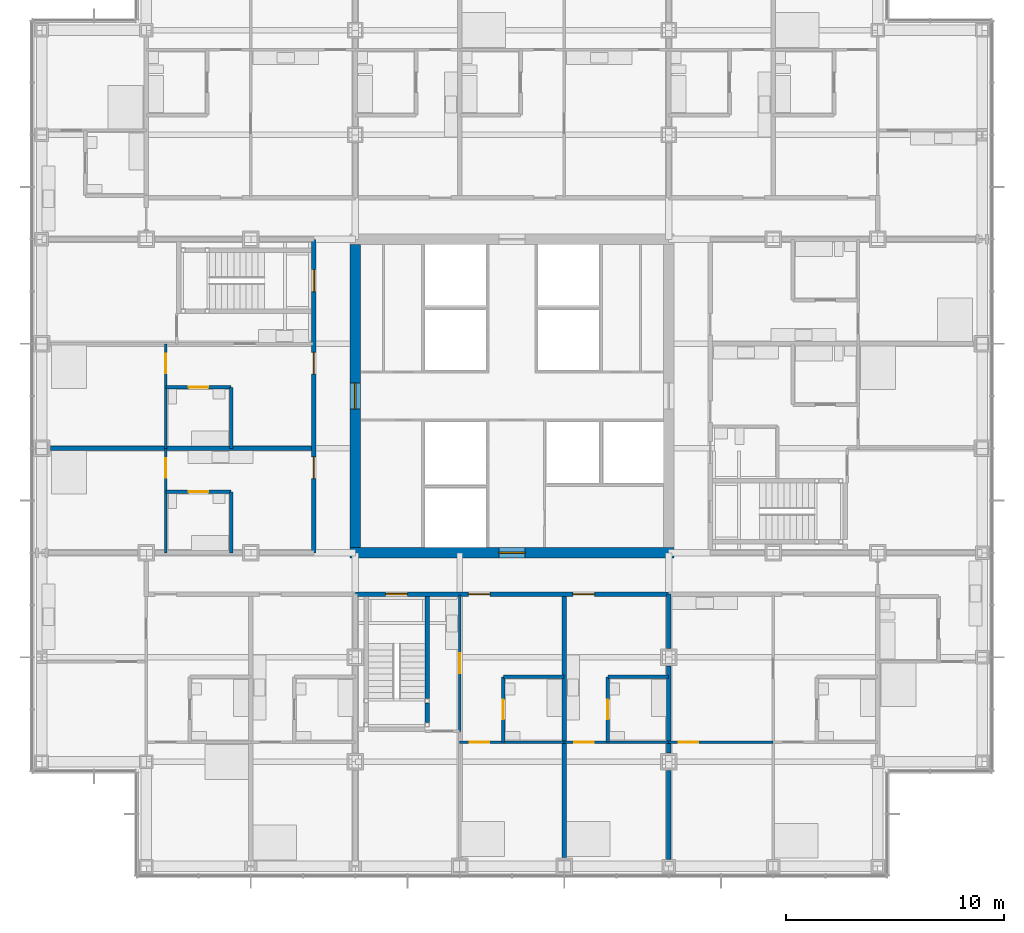
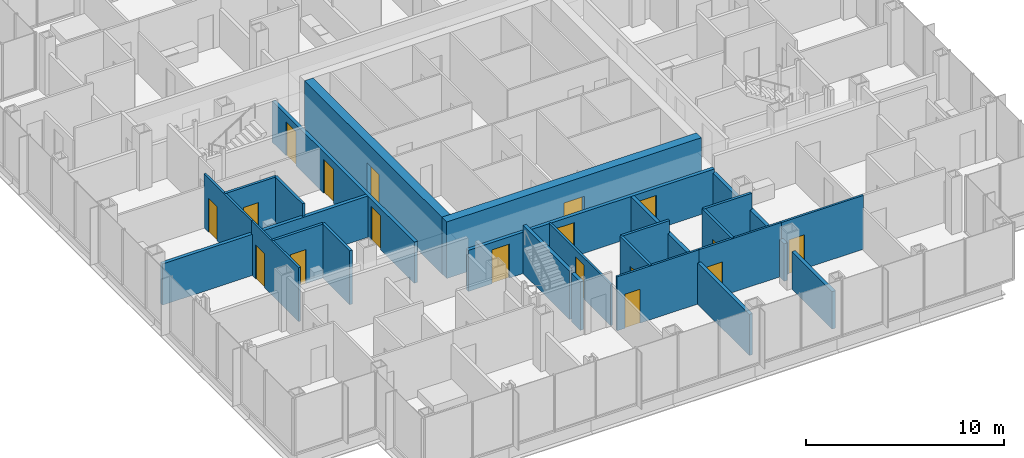
# One storey, part 14 of 21: 25 walls, 18 doors, 18 openings.
"""IFC4 building model written with IfcOpenShell, lengths in metres."""

from ifc_helpers import new_model, si_unit, direction, frame, frame_2d, origin, place, context, subcontext, project, spatial, rectangle, extrude, material, layer, layer_set, type_object, element, fill, save


model = new_model("IFC4")

# Units and contexts
model_context = context("Model", 3, precision=1e-05, world=origin(), true_north=direction((0.0, 1.0)))
body_context = subcontext(model_context, "Body", "Model", "MODEL_VIEW")
ifc_project = project(units=[si_unit("LENGTHUNIT", "METRE"), si_unit("AREAUNIT", "SQUARE_METRE"), si_unit("VOLUMEUNIT", "CUBIC_METRE"), si_unit("PLANEANGLEUNIT", "RADIAN"), si_unit("MASSUNIT", "GRAM", prefix="KILO")], contexts=[model_context])

# Site, building, storey
site_placement = place(None, origin())
site = spatial("IfcSite", under=ifc_project, at=site_placement, CompositionType="ELEMENT")
building_placement = place(site_placement, origin())
building = spatial("IfcBuilding", under=site, at=building_placement, Name="Kvirike Care Tower", CompositionType="ELEMENT")
storey_placement = place(building_placement, frame((0.0, 0.0, 34.0)))
storey = spatial("IfcBuildingStorey", under=building, at=storey_placement, Name="L08", CompositionType="ELEMENT", Elevation=34.0)

# Wall, opening, door
ifc_material_1 = material(Name="Moisture-resistant board partition", Category="gypsum")
ifc_layer_1 = layer(ifc_material_1, 0.14990234375)
ifc_layer_set_1 = layer_set([ifc_layer_1], Name="BATHROOM WALL 150")
wall_type_1 = type_object("IfcWallType", Name="BATHROOM WALL 150", PredefinedType="PARTITIONING", material=ifc_layer_set_1)
wall_1_placement = place(storey_placement, frame((5.699951171875, 36.39990234375, 0.0), z_axis=(0.0, 0.0, 1.0), x_axis=(1.0, 0.0, 0.0)))
wall_1 = element("IfcWall", 1, at=wall_1_placement, inside=storey, type_object=wall_type_1, Name="Bathroom Wall 150 L08", PredefinedType="PARTITIONING", context=body_context, shape_type="SweptSolid", body=[
    extrude(rectangle(XDim=3.0, YDim=0.14990234375, at=frame_2d((1.5, 0.0))), origin(), (0.0, 0.0, 1.0), 3.330078125),
])
opening_1_placement = place(wall_1_placement, frame((1.050048828125, 0.0, 0.0)))
opening_1 = element("IfcOpeningElement", 2, at=opening_1_placement, cuts=wall_1, Name="Opening 08-009", PredefinedType="OPENING", context=body_context, shape_type="SweptSolid", body=[
    extrude(rectangle(XDim=0.89990234375, YDim=2.10009765625, at=frame_2d((0.449951171875, 1.050048828125))), frame((0.0, 0.08544921875, 0.0), z_axis=(0.0, -1.0, 0.0), x_axis=(1.0, 0.0, 0.0)), (0.0, 0.0, 1.0), 0.1708984375),
])
ifc_material_2 = material(Name="Timber door set", Category="wood")
door_type_1 = type_object("IfcDoorType", Name="BATHROOM DOOR 900", OperationType="SINGLE_SWING_RIGHT", PredefinedType="DOOR", material=ifc_material_2)
door_1_placement = place(opening_1_placement, frame((0.89990234375, 0.0, 0.0), z_axis=(0.0, 0.0, 1.0), x_axis=(-1.0, 0.0, 0.0)))
door_1 = element("IfcDoor", 3, at=door_1_placement, inside=storey, type_object=door_type_1, Name="Bathroom door", OperationType="SINGLE_SWING_LEFT", OverallHeight=2.10009765625, OverallWidth=0.89990234375, PredefinedType="DOOR", context=body_context, shape_type="SweptSolid", body=[
    extrude(rectangle(XDim=0.89990234375, YDim=2.10009765625, at=frame_2d((0.449951171875, 1.050048828125))), frame((0.0, 0.02197265625, 0.0), z_axis=(0.0, -1.0, 0.0), x_axis=(1.0, 0.0, 0.0)), (0.0, 0.0, 1.0), 0.0439453125),
])
fill(opening_1, door_1)

# Wall
wall_2_placement = place(storey_placement, frame((8.699951171875, 36.39990234375, 0.0), z_axis=(0.0, 0.0, 1.0), x_axis=(0.0, -1.0, 0.0)))
element("IfcWall", 4, at=wall_2_placement, inside=storey, type_object=wall_type_1, Name="Bathroom Wall 150 L08", PredefinedType="PARTITIONING", context=body_context, shape_type="SweptSolid", body=[
    extrude(rectangle(XDim=2.7998046875, YDim=0.14990234375, at=frame_2d((1.39990234375, 0.0))), origin(), (0.0, 0.0, 1.0), 3.330078125),
])

# Wall, opening, door
wall_3_placement = place(storey_placement, frame((5.699951171875, 31.60009765625, 0.0), z_axis=(0.0, 0.0, 1.0), x_axis=(1.0, 0.0, 0.0)))
wall_3 = element("IfcWall", 5, at=wall_3_placement, inside=storey, type_object=wall_type_1, Name="Bathroom Wall 150 L08", PredefinedType="PARTITIONING", context=body_context, shape_type="SweptSolid", body=[
    extrude(rectangle(XDim=3.0, YDim=0.14990234375, at=frame_2d((1.5, 0.0))), origin(), (0.0, 0.0, 1.0), 3.330078125),
])
opening_2_placement = place(wall_3_placement, frame((1.050048828125, 0.0, 0.0)))
opening_2 = element("IfcOpeningElement", 6, at=opening_2_placement, cuts=wall_3, Name="Opening 08-013", PredefinedType="OPENING", context=body_context, shape_type="SweptSolid", body=[
    extrude(rectangle(XDim=0.89990234375, YDim=2.10009765625, at=frame_2d((0.449951171875, 1.050048828125))), frame((0.0, 0.08544921875, 0.0), z_axis=(0.0, -1.0, 0.0), x_axis=(1.0, 0.0, 0.0)), (0.0, 0.0, 1.0), 0.1708984375),
])
door_2_placement = place(opening_2_placement, frame((0.89990234375, 0.0, 0.0), z_axis=(0.0, 0.0, 1.0), x_axis=(-1.0, 0.0, 0.0)))
door_2 = element("IfcDoor", 7, at=door_2_placement, inside=storey, type_object=door_type_1, Name="Bathroom door", OperationType="SINGLE_SWING_LEFT", OverallHeight=2.10009765625, OverallWidth=0.89990234375, PredefinedType="DOOR", context=body_context, shape_type="SweptSolid", body=[
    extrude(rectangle(XDim=0.89990234375, YDim=2.10009765625, at=frame_2d((0.449951171875, 1.050048828125))), frame((0.0, 0.02197265625, 0.0), z_axis=(0.0, -1.0, 0.0), x_axis=(1.0, 0.0, 0.0)), (0.0, 0.0, 1.0), 0.0439453125),
])
fill(opening_2, door_2)

# Wall
wall_4_placement = place(storey_placement, frame((8.699951171875, 31.60009765625, 0.0), z_axis=(0.0, 0.0, 1.0), x_axis=(0.0, -1.0, 0.0)))
element("IfcWall", 8, at=wall_4_placement, inside=storey, type_object=wall_type_1, Name="Bathroom Wall 150 L08", PredefinedType="PARTITIONING", context=body_context, shape_type="SweptSolid", body=[
    extrude(rectangle(XDim=2.800048828125, YDim=0.14990234375, at=frame_2d((1.39990234375, 0.0))), origin(), (0.0, 0.0, 1.0), 3.330078125),
])

# Wall, opening, door
wall_5_placement = place(storey_placement, frame((21.199951171875, 20.10009765625, 0.0), z_axis=(0.0, 0.0, 1.0), x_axis=(0.0, 1.0, 0.0)))
wall_5 = element("IfcWall", 9, at=wall_5_placement, inside=storey, type_object=wall_type_1, Name="Bathroom Wall 150 L08", PredefinedType="PARTITIONING", context=body_context, shape_type="SweptSolid", body=[
    extrude(rectangle(XDim=3.0, YDim=0.14990234375, at=frame_2d((1.5, 0.0))), origin(), (0.0, 0.0, 1.0), 3.330078125),
])
opening_3_placement = place(wall_5_placement, frame((1.050048828125, 0.0, 0.0)))
opening_3 = element("IfcOpeningElement", 10, at=opening_3_placement, cuts=wall_5, Name="Opening 08-026", PredefinedType="OPENING", context=body_context, shape_type="SweptSolid", body=[
    extrude(rectangle(XDim=0.89990234375, YDim=2.10009765625, at=frame_2d((0.449951171875, 1.050048828125))), frame((0.0, 0.08544921875, 0.0), z_axis=(0.0, -1.0, 0.0), x_axis=(1.0, 0.0, 0.0)), (0.0, 0.0, 1.0), 0.1708984375),
])
door_3_placement = place(opening_3_placement, frame((0.89990234375, 0.0, 0.0), z_axis=(0.0, 0.0, 1.0), x_axis=(-1.0, 0.0, 0.0)))
door_3 = element("IfcDoor", 11, at=door_3_placement, inside=storey, type_object=door_type_1, Name="Bathroom door", OperationType="SINGLE_SWING_RIGHT", OverallHeight=2.10009765625, OverallWidth=0.89990234375, PredefinedType="DOOR", context=body_context, shape_type="SweptSolid", body=[
    extrude(rectangle(XDim=0.89990234375, YDim=2.10009765625, at=frame_2d((0.449951171875, 1.050048828125))), frame((0.0, 0.02197265625, 0.0), z_axis=(0.0, -1.0, 0.0), x_axis=(1.0, 0.0, 0.0)), (0.0, 0.0, 1.0), 0.0439453125),
])
fill(opening_3, door_3)

# Wall
wall_6_placement = place(storey_placement, frame((21.199951171875, 23.10009765625, 0.0), z_axis=(0.0, 0.0, 1.0), x_axis=(1.0, 0.0, 0.0)))
element("IfcWall", 12, at=wall_6_placement, inside=storey, type_object=wall_type_1, Name="Bathroom Wall 150 L08", PredefinedType="PARTITIONING", context=body_context, shape_type="SweptSolid", body=[
    extrude(rectangle(XDim=2.800048828125, YDim=0.14990234375, at=frame_2d((1.39990234375, 0.0))), origin(), (0.0, 0.0, 1.0), 3.330078125),
])

# Wall, opening, door
wall_7_placement = place(storey_placement, frame((26.0, 20.10009765625, 0.0), z_axis=(0.0, 0.0, 1.0), x_axis=(0.0, 1.0, 0.0)))
wall_7 = element("IfcWall", 13, at=wall_7_placement, inside=storey, type_object=wall_type_1, Name="Bathroom Wall 150 L08", PredefinedType="PARTITIONING", context=body_context, shape_type="SweptSolid", body=[
    extrude(rectangle(XDim=3.0, YDim=0.14990234375, at=frame_2d((1.5, 0.0))), origin(), (0.0, 0.0, 1.0), 3.330078125),
])
opening_4_placement = place(wall_7_placement, frame((1.050048828125, 0.0, 0.0)))
opening_4 = element("IfcOpeningElement", 14, at=opening_4_placement, cuts=wall_7, Name="Opening 08-030", PredefinedType="OPENING", context=body_context, shape_type="SweptSolid", body=[
    extrude(rectangle(XDim=0.89990234375, YDim=2.10009765625, at=frame_2d((0.449951171875, 1.050048828125))), frame((0.0, 0.08544921875, 0.0), z_axis=(0.0, -1.0, 0.0), x_axis=(1.0, 0.0, 0.0)), (0.0, 0.0, 1.0), 0.1708984375),
])
door_4_placement = place(opening_4_placement, frame((0.89990234375, 0.0, 0.0), z_axis=(0.0, 0.0, 1.0), x_axis=(-1.0, 0.0, 0.0)))
door_4 = element("IfcDoor", 15, at=door_4_placement, inside=storey, type_object=door_type_1, Name="Bathroom door", OperationType="SINGLE_SWING_RIGHT", OverallHeight=2.10009765625, OverallWidth=0.89990234375, PredefinedType="DOOR", context=body_context, shape_type="SweptSolid", body=[
    extrude(rectangle(XDim=0.89990234375, YDim=2.10009765625, at=frame_2d((0.449951171875, 1.050048828125))), frame((0.0, 0.02197265625, 0.0), z_axis=(0.0, -1.0, 0.0), x_axis=(1.0, 0.0, 0.0)), (0.0, 0.0, 1.0), 0.0439453125),
])
fill(opening_4, door_4)

# Wall
wall_8_placement = place(storey_placement, frame((26.0, 23.10009765625, 0.0), z_axis=(0.0, 0.0, 1.0), x_axis=(1.0, 0.0, 0.0)))
element("IfcWall", 16, at=wall_8_placement, inside=storey, type_object=wall_type_1, Name="Bathroom Wall 150 L08", PredefinedType="PARTITIONING", context=body_context, shape_type="SweptSolid", body=[
    extrude(rectangle(XDim=2.800048828125, YDim=0.14990234375, at=frame_2d((1.39990234375, 0.0))), origin(), (0.0, 0.0, 1.0), 3.330078125),
])

# Wall, opening, door
ifc_material_3 = material(Name="Concrete C60/75", Category="concrete")
ifc_layer_2 = layer(ifc_material_3, 0.5)
ifc_layer_set_2 = layer_set([ifc_layer_2], Name="CORE WALL 500 C60-75")
wall_type_2 = type_object("IfcWallType", Name="CORE WALL 500 C60-75", PredefinedType="SHEAR", material=ifc_layer_set_2)
wall_9_placement = place(storey_placement, frame((14.14990234375, 28.800048828125, -0.169921875), z_axis=(0.0, 0.0, 1.0), x_axis=(1.0, 0.0, 0.0)))
wall_9 = element("IfcWall", 17, at=wall_9_placement, inside=storey, type_object=wall_type_2, Name="Core wall S L08", PredefinedType="SHEAR", context=body_context, shape_type="SweptSolid", body=[
    extrude(rectangle(XDim=14.900146484375, YDim=0.5, at=frame_2d((7.4501953125, 0.0))), origin(), (0.0, 0.0, 1.0), 3.5),
])
opening_5_placement = place(wall_9_placement, frame((6.85009765625, 0.0, 0.169921875)))
opening_5 = element("IfcOpeningElement", 18, at=opening_5_placement, cuts=wall_9, Name="Opening 08-079", PredefinedType="OPENING", context=body_context, shape_type="SweptSolid", body=[
    extrude(rectangle(XDim=1.199951171875, YDim=2.10009765625, at=frame_2d((0.60009765625, 1.050048828125))), frame((0.0, 0.260498046875, 0.0), z_axis=(0.0, -1.0, 0.0), x_axis=(1.0, 0.0, 0.0)), (0.0, 0.0, 1.0), 0.52099609375),
])
ifc_material_4 = material(Name="Timber door set", Category="wood")
door_type_2 = type_object("IfcDoorType", Name="CORE DOOR 1200", OperationType="SINGLE_SWING_LEFT", PredefinedType="DOOR", material=ifc_material_4)
door_5_placement = place(opening_5_placement, origin())
door_5 = element("IfcDoor", 19, at=door_5_placement, inside=storey, type_object=door_type_2, Name="Core door S L08", OperationType="SINGLE_SWING_LEFT", OverallHeight=2.10009765625, OverallWidth=1.199951171875, PredefinedType="DOOR", context=body_context, shape_type="SweptSolid", body=[
    extrude(rectangle(XDim=1.199951171875, YDim=2.10009765625, at=frame_2d((0.60009765625, 1.050048828125))), frame((0.0, 0.02685546875, 0.0), z_axis=(0.0, -1.0, 0.0), x_axis=(1.0, 0.0, 0.0)), (0.0, 0.0, 1.0), 0.053955078125),
])
fill(opening_5, door_5)

wall_10_placement = place(storey_placement, frame((14.39990234375, 42.949951171875, -0.169921875), z_axis=(0.0, 0.0, 1.0), x_axis=(0.0, -1.0, 0.0)))
wall_10 = element("IfcWall", 20, at=wall_10_placement, inside=storey, type_object=wall_type_2, Name="Core wall W L08", PredefinedType="SHEAR", context=body_context, shape_type="SweptSolid", body=[
    extrude(rectangle(XDim=13.89990234375, YDim=0.5, at=frame_2d((6.949951171875, 0.0))), origin(), (0.0, 0.0, 1.0), 3.5),
])
opening_6_placement = place(wall_10_placement, frame((6.35009765625, 0.0, 0.169921875)))
opening_6 = element("IfcOpeningElement", 21, at=opening_6_placement, cuts=wall_10, Name="Opening 08-080", PredefinedType="OPENING", context=body_context, shape_type="SweptSolid", body=[
    extrude(rectangle(XDim=1.199951171875, YDim=2.10009765625, at=frame_2d((0.60009765625, 1.050048828125))), frame((0.0, 0.260498046875, 0.0), z_axis=(0.0, -1.0, 0.0), x_axis=(1.0, 0.0, 0.0)), (0.0, 0.0, 1.0), 0.52099609375),
])
door_6_placement = place(opening_6_placement, origin())
door_6 = element("IfcDoor", 22, at=door_6_placement, inside=storey, type_object=door_type_2, Name="Core door W L08", OperationType="SINGLE_SWING_LEFT", OverallHeight=2.10009765625, OverallWidth=1.199951171875, PredefinedType="DOOR", context=body_context, shape_type="SweptSolid", body=[
    extrude(rectangle(XDim=1.199951171875, YDim=2.10009765625, at=frame_2d((0.60009765625, 1.050048828125))), frame((0.0, 0.02685546875, 0.0), z_axis=(0.0, -1.0, 0.0), x_axis=(1.0, 0.0, 0.0)), (0.0, 0.0, 1.0), 0.053955078125),
])
fill(opening_6, door_6)

# Wall, openings, doors
ifc_material_5 = material(Name="Plasterboard corridor wall", Category="gypsum")
ifc_layer_3 = layer(ifc_material_5, 0.199951171875)
ifc_layer_set_3 = layer_set([ifc_layer_3], Name="CORRIDOR WALL 200")
wall_type_3 = type_object("IfcWallType", Name="CORRIDOR WALL 200", PredefinedType="PARTITIONING", material=ifc_layer_set_3)
wall_11_placement = place(storey_placement, frame((12.5, 43.199951171875, 0.0), z_axis=(0.0, 0.0, 1.0), x_axis=(0.0, -1.0, 0.0)))
wall_11 = element("IfcWall", 23, at=wall_11_placement, inside=storey, type_object=wall_type_3, Name="Corridor Wall 200 L08", PredefinedType="PARTITIONING", context=body_context, shape_type="SweptSolid", body=[
    extrude(rectangle(XDim=14.39990234375, YDim=0.199951171875, at=frame_2d((7.199951171875, 0.0))), origin(), (0.0, 0.0, 1.0), 2.550048828125),
])
opening_7_placement = place(wall_11_placement, frame((1.39990234375, 0.0, 0.0)))
opening_7 = element("IfcOpeningElement", 24, at=opening_7_placement, cuts=wall_11, Name="Opening 08-015", PredefinedType="OPENING", context=body_context, shape_type="SweptSolid", body=[
    extrude(rectangle(XDim=1.0, YDim=2.10009765625, at=frame_2d((0.5, 1.050048828125))), frame((0.0, 0.110595703125, 0.0), z_axis=(0.0, -1.0, 0.0), x_axis=(1.0, 0.0, 0.0)), (0.0, 0.0, 1.0), 0.220947265625),
])
opening_8_placement = place(wall_11_placement, frame((5.199951171875, 0.0, 0.0)))
opening_8 = element("IfcOpeningElement", 25, at=opening_8_placement, cuts=wall_11, Name="Opening 08-016", PredefinedType="OPENING", context=body_context, shape_type="SweptSolid", body=[
    extrude(rectangle(XDim=1.0, YDim=2.10009765625, at=frame_2d((0.5, 1.050048828125))), frame((0.0, 0.110595703125, 0.0), z_axis=(0.0, -1.0, 0.0), x_axis=(1.0, 0.0, 0.0)), (0.0, 0.0, 1.0), 0.220947265625),
])
opening_9_placement = place(wall_11_placement, frame((10.0, 0.0, 0.0)))
opening_9 = element("IfcOpeningElement", 26, at=opening_9_placement, cuts=wall_11, Name="Opening 08-017", PredefinedType="OPENING", context=body_context, shape_type="SweptSolid", body=[
    extrude(rectangle(XDim=1.0, YDim=2.10009765625, at=frame_2d((0.5, 1.050048828125))), frame((0.0, 0.110595703125, 0.0), z_axis=(0.0, -1.0, 0.0), x_axis=(1.0, 0.0, 0.0)), (0.0, 0.0, 1.0), 0.220947265625),
])
ifc_material_6 = material(Name="Timber door set", Category="wood")
door_type_3 = type_object("IfcDoorType", Name="FLAT ENTRANCE DOOR 1000", OperationType="SINGLE_SWING_LEFT", PredefinedType="DOOR", material=ifc_material_6)
door_7_placement = place(opening_8_placement, frame((1.0, 0.0, 0.0), z_axis=(0.0, 0.0, 1.0), x_axis=(-1.0, 0.0, 0.0)))
door_7 = element("IfcDoor", 27, at=door_7_placement, inside=storey, type_object=door_type_3, Name="One-bedroom apartment entrance", OperationType="SINGLE_SWING_LEFT", OverallHeight=2.10009765625, OverallWidth=1.0, PredefinedType="DOOR", context=body_context, shape_type="SweptSolid", body=[
    extrude(rectangle(XDim=1.0, YDim=2.10009765625, at=frame_2d((0.5, 1.050048828125))), frame((0.0, 0.02685546875, 0.0), z_axis=(0.0, -1.0, 0.0), x_axis=(1.0, 0.0, 0.0)), (0.0, 0.0, 1.0), 0.053955078125),
])
fill(opening_8, door_7)
door_8_placement = place(opening_9_placement, frame((1.0, 0.0, 0.0), z_axis=(0.0, 0.0, 1.0), x_axis=(-1.0, 0.0, 0.0)))
door_8 = element("IfcDoor", 28, at=door_8_placement, inside=storey, type_object=door_type_3, Name="Studio apartment entrance", OperationType="SINGLE_SWING_LEFT", OverallHeight=2.10009765625, OverallWidth=1.0, PredefinedType="DOOR", context=body_context, shape_type="SweptSolid", body=[
    extrude(rectangle(XDim=1.0, YDim=2.10009765625, at=frame_2d((0.5, 1.050048828125))), frame((0.0, 0.02685546875, 0.0), z_axis=(0.0, -1.0, 0.0), x_axis=(1.0, 0.0, 0.0)), (0.0, 0.0, 1.0), 0.053955078125),
])
fill(opening_9, door_8)
ifc_material_7 = material(Name="Timber door set", Category="wood")
door_type_4 = type_object("IfcDoorType", Name="STAIR DOOR 1000", OperationType="SINGLE_SWING_LEFT", PredefinedType="DOOR", material=ifc_material_7)
door_9_placement = place(opening_7_placement, frame((1.0, 0.0, 0.0), z_axis=(0.0, 0.0, 1.0), x_axis=(-1.0, 0.0, 0.0)))
door_9 = element("IfcDoor", 29, at=door_9_placement, inside=storey, type_object=door_type_4, Name="Stair 1 door", OperationType="SINGLE_SWING_RIGHT", OverallHeight=2.10009765625, OverallWidth=1.0, PredefinedType="DOOR", context=body_context, shape_type="SweptSolid", body=[
    extrude(rectangle(XDim=1.0, YDim=2.10009765625, at=frame_2d((0.5, 1.050048828125))), frame((0.0, 0.031982421875, 0.0), z_axis=(0.0, -1.0, 0.0), x_axis=(1.0, 0.0, 0.0)), (0.0, 0.0, 1.0), 0.06396484375),
])
fill(opening_7, door_9)

wall_12_placement = place(storey_placement, frame((14.39990234375, 26.89990234375, 0.0), z_axis=(0.0, 0.0, 1.0), x_axis=(1.0, 0.0, 0.0)))
wall_12 = element("IfcWall", 30, at=wall_12_placement, inside=storey, type_object=wall_type_3, Name="Corridor Wall 200 L08", PredefinedType="PARTITIONING", context=body_context, shape_type="SweptSolid", body=[
    extrude(rectangle(XDim=14.400146484375, YDim=0.199951171875, at=frame_2d((7.2001953125, 0.0))), origin(), (0.0, 0.0, 1.0), 2.550048828125),
])
opening_10_placement = place(wall_12_placement, frame((1.39990234375, 0.0, 0.0)))
opening_10 = element("IfcOpeningElement", 31, at=opening_10_placement, cuts=wall_12, Name="Opening 08-032", PredefinedType="OPENING", context=body_context, shape_type="SweptSolid", body=[
    extrude(rectangle(XDim=1.0, YDim=2.10009765625, at=frame_2d((0.5, 1.050048828125))), frame((0.0, 0.110595703125, 0.0), z_axis=(0.0, -1.0, 0.0), x_axis=(1.0, 0.0, 0.0)), (0.0, 0.0, 1.0), 0.220947265625),
])
opening_11_placement = place(wall_12_placement, frame((5.199951171875, 0.0, 0.0)))
opening_11 = element("IfcOpeningElement", 32, at=opening_11_placement, cuts=wall_12, Name="Opening 08-033", PredefinedType="OPENING", context=body_context, shape_type="SweptSolid", body=[
    extrude(rectangle(XDim=1.0, YDim=2.10009765625, at=frame_2d((0.5, 1.050048828125))), frame((0.0, 0.110595703125, 0.0), z_axis=(0.0, -1.0, 0.0), x_axis=(1.0, 0.0, 0.0)), (0.0, 0.0, 1.0), 0.220947265625),
])
opening_12_placement = place(wall_12_placement, frame((10.0, 0.0, 0.0)))
opening_12 = element("IfcOpeningElement", 33, at=opening_12_placement, cuts=wall_12, Name="Opening 08-034", PredefinedType="OPENING", context=body_context, shape_type="SweptSolid", body=[
    extrude(rectangle(XDim=1.0, YDim=2.10009765625, at=frame_2d((0.5, 1.050048828125))), frame((0.0, 0.110595703125, 0.0), z_axis=(0.0, -1.0, 0.0), x_axis=(1.0, 0.0, 0.0)), (0.0, 0.0, 1.0), 0.220947265625),
])
door_10_placement = place(opening_11_placement, frame((1.0, 0.0, 0.0), z_axis=(0.0, 0.0, 1.0), x_axis=(-1.0, 0.0, 0.0)))
door_10 = element("IfcDoor", 34, at=door_10_placement, inside=storey, type_object=door_type_3, Name="One-bedroom apartment entrance", OperationType="SINGLE_SWING_LEFT", OverallHeight=2.10009765625, OverallWidth=1.0, PredefinedType="DOOR", context=body_context, shape_type="SweptSolid", body=[
    extrude(rectangle(XDim=1.0, YDim=2.10009765625, at=frame_2d((0.5, 1.050048828125))), frame((0.0, 0.02685546875, 0.0), z_axis=(0.0, -1.0, 0.0), x_axis=(1.0, 0.0, 0.0)), (0.0, 0.0, 1.0), 0.053955078125),
])
fill(opening_11, door_10)
door_11_placement = place(opening_12_placement, frame((1.0, 0.0, 0.0), z_axis=(0.0, 0.0, 1.0), x_axis=(-1.0, 0.0, 0.0)))
door_11 = element("IfcDoor", 35, at=door_11_placement, inside=storey, type_object=door_type_3, Name="Studio apartment entrance", OperationType="SINGLE_SWING_LEFT", OverallHeight=2.10009765625, OverallWidth=1.0, PredefinedType="DOOR", context=body_context, shape_type="SweptSolid", body=[
    extrude(rectangle(XDim=1.0, YDim=2.10009765625, at=frame_2d((0.5, 1.050048828125))), frame((0.0, 0.02685546875, 0.0), z_axis=(0.0, -1.0, 0.0), x_axis=(1.0, 0.0, 0.0)), (0.0, 0.0, 1.0), 0.053955078125),
])
fill(opening_12, door_11)
door_12_placement = place(opening_10_placement, frame((1.0, 0.0, 0.0), z_axis=(0.0, 0.0, 1.0), x_axis=(-1.0, 0.0, 0.0)))
door_12 = element("IfcDoor", 36, at=door_12_placement, inside=storey, type_object=door_type_4, Name="Stair 5 door", OperationType="SINGLE_SWING_RIGHT", OverallHeight=2.10009765625, OverallWidth=1.0, PredefinedType="DOOR", context=body_context, shape_type="SweptSolid", body=[
    extrude(rectangle(XDim=1.0, YDim=2.10009765625, at=frame_2d((0.5, 1.050048828125))), frame((0.0, 0.031982421875, 0.0), z_axis=(0.0, -1.0, 0.0), x_axis=(1.0, 0.0, 0.0)), (0.0, 0.0, 1.0), 0.06396484375),
])
fill(opening_10, door_12)

# Wall, opening, door
ifc_material_8 = material(Name="Plasterboard partition", Category="gypsum")
ifc_layer_4 = layer(ifc_material_8, 0.1201171875)
ifc_layer_set_4 = layer_set([ifc_layer_4], Name="PARTITION 120")
wall_type_4 = type_object("IfcWallType", Name="PARTITION 120", PredefinedType="PARTITIONING", material=ifc_layer_set_4)
wall_13_placement = place(storey_placement, frame((5.699951171875, 38.39990234375, 0.0), z_axis=(0.0, 0.0, 1.0), x_axis=(0.0, -1.0, 0.0)))
wall_13 = element("IfcWall", 37, at=wall_13_placement, inside=storey, type_object=wall_type_4, Name="Partition 120 L08", PredefinedType="PARTITIONING", context=body_context, shape_type="SweptSolid", body=[
    extrude(rectangle(XDim=4.7998046875, YDim=0.1201171875, at=frame_2d((2.39990234375, 0.0))), origin(), (0.0, 0.0, 1.0), 3.330078125),
])
opening_13_placement = place(wall_13_placement, frame((0.449951171875, 0.0, 0.0)))
opening_13 = element("IfcOpeningElement", 38, at=opening_13_placement, cuts=wall_13, Name="Opening 08-012", PredefinedType="OPENING", context=body_context, shape_type="SweptSolid", body=[
    extrude(rectangle(XDim=0.89990234375, YDim=2.10009765625, at=frame_2d((0.449951171875, 1.050048828125))), frame((0.0, 0.070556640625, 0.0), z_axis=(0.0, -1.0, 0.0), x_axis=(1.0, 0.0, 0.0)), (0.0, 0.0, 1.0), 0.14111328125),
])
ifc_material_9 = material(Name="Timber door set", Category="wood")
door_type_5 = type_object("IfcDoorType", Name="INTERNAL DOOR 900", OperationType="SINGLE_SWING_LEFT", PredefinedType="DOOR", material=ifc_material_9)
door_13_placement = place(opening_13_placement, origin())
door_13 = element("IfcDoor", 39, at=door_13_placement, inside=storey, type_object=door_type_5, Name="Apartment bedroom door", OperationType="SINGLE_SWING_RIGHT", OverallHeight=2.10009765625, OverallWidth=0.89990234375, PredefinedType="DOOR", context=body_context, shape_type="SweptSolid", body=[
    extrude(rectangle(XDim=0.89990234375, YDim=2.10009765625, at=frame_2d((0.449951171875, 1.050048828125))), frame((0.0, 0.02197265625, 0.0), z_axis=(0.0, -1.0, 0.0), x_axis=(1.0, 0.0, 0.0)), (0.0, 0.0, 1.0), 0.0439453125),
])
fill(opening_13, door_13)

wall_14_placement = place(storey_placement, frame((5.699951171875, 33.60009765625, 0.0), z_axis=(0.0, 0.0, 1.0), x_axis=(0.0, -1.0, 0.0)))
wall_14 = element("IfcWall", 40, at=wall_14_placement, inside=storey, type_object=wall_type_4, Name="Partition 120 L08", PredefinedType="PARTITIONING", context=body_context, shape_type="SweptSolid", body=[
    extrude(rectangle(XDim=4.800048828125, YDim=0.1201171875, at=frame_2d((2.39990234375, 0.0))), origin(), (0.0, 0.0, 1.0), 3.330078125),
])
opening_14_placement = place(wall_14_placement, frame((0.449951171875, 0.0, 0.0)))
opening_14 = element("IfcOpeningElement", 41, at=opening_14_placement, cuts=wall_14, Name="Opening 08-014", PredefinedType="OPENING", context=body_context, shape_type="SweptSolid", body=[
    extrude(rectangle(XDim=0.89990234375, YDim=2.10009765625, at=frame_2d((0.449951171875, 1.050048828125))), frame((0.0, 0.070556640625, 0.0), z_axis=(0.0, -1.0, 0.0), x_axis=(1.0, 0.0, 0.0)), (0.0, 0.0, 1.0), 0.14111328125),
])
door_14_placement = place(opening_14_placement, origin())
door_14 = element("IfcDoor", 42, at=door_14_placement, inside=storey, type_object=door_type_5, Name="Studio apartment living room door", OperationType="SINGLE_SWING_RIGHT", OverallHeight=2.10009765625, OverallWidth=0.89990234375, PredefinedType="DOOR", context=body_context, shape_type="SweptSolid", body=[
    extrude(rectangle(XDim=0.89990234375, YDim=2.10009765625, at=frame_2d((0.449951171875, 1.050048828125))), frame((0.0, 0.02197265625, 0.0), z_axis=(0.0, -1.0, 0.0), x_axis=(1.0, 0.0, 0.0)), (0.0, 0.0, 1.0), 0.0439453125),
])
fill(opening_14, door_14)

wall_15_placement = place(storey_placement, frame((19.199951171875, 20.60009765625, 0.0), z_axis=(0.0, 0.0, 1.0), x_axis=(0.0, 1.0, 0.0)))
wall_15 = element("IfcWall", 43, at=wall_15_placement, inside=storey, type_object=wall_type_4, Name="Partition 120 L08", PredefinedType="PARTITIONING", context=body_context, shape_type="SweptSolid", body=[
    extrude(rectangle(XDim=6.25, YDim=0.1201171875, at=frame_2d((3.125, 0.0))), origin(), (0.0, 0.0, 1.0), 2.550048828125),
])
opening_15_placement = place(wall_15_placement, frame((2.675048828125, 0.0, 0.0)))
opening_15 = element("IfcOpeningElement", 44, at=opening_15_placement, cuts=wall_15, Name="Opening 08-027", PredefinedType="OPENING", context=body_context, shape_type="SweptSolid", body=[
    extrude(rectangle(XDim=0.89990234375, YDim=2.10009765625, at=frame_2d((0.449951171875, 1.050048828125))), frame((0.0, 0.070556640625, 0.0), z_axis=(0.0, -1.0, 0.0), x_axis=(1.0, 0.0, 0.0)), (0.0, 0.0, 1.0), 0.14111328125),
])
door_15_placement = place(opening_15_placement, origin())
door_15 = element("IfcDoor", 45, at=door_15_placement, inside=storey, type_object=door_type_5, Name="Hall door", OperationType="SINGLE_SWING_LEFT", OverallHeight=2.10009765625, OverallWidth=0.89990234375, PredefinedType="DOOR", context=body_context, shape_type="SweptSolid", body=[
    extrude(rectangle(XDim=0.89990234375, YDim=2.10009765625, at=frame_2d((0.449951171875, 1.050048828125))), frame((0.0, 0.02197265625, 0.0), z_axis=(0.0, -1.0, 0.0), x_axis=(1.0, 0.0, 0.0)), (0.0, 0.0, 1.0), 0.0439453125),
])
fill(opening_15, door_15)

wall_16_placement = place(storey_placement, frame((19.199951171875, 20.10009765625, 0.0), z_axis=(0.0, 0.0, 1.0), x_axis=(1.0, 0.0, 0.0)))
wall_16 = element("IfcWall", 46, at=wall_16_placement, inside=storey, type_object=wall_type_4, Name="Partition 120 L08", PredefinedType="PARTITIONING", context=body_context, shape_type="SweptSolid", body=[
    extrude(rectangle(XDim=4.800048828125, YDim=0.1201171875, at=frame_2d((2.39990234375, 0.0))), origin(), (0.0, 0.0, 1.0), 3.330078125),
])
opening_16_placement = place(wall_16_placement, frame((0.449951171875, 0.0, 0.0)))
opening_16 = element("IfcOpeningElement", 47, at=opening_16_placement, cuts=wall_16, Name="Opening 08-029", PredefinedType="OPENING", context=body_context, shape_type="SweptSolid", body=[
    extrude(rectangle(XDim=0.89990234375, YDim=2.10009765625, at=frame_2d((0.449951171875, 1.050048828125))), frame((0.0, 0.070556640625, 0.0), z_axis=(0.0, -1.0, 0.0), x_axis=(1.0, 0.0, 0.0)), (0.0, 0.0, 1.0), 0.14111328125),
])
door_16_placement = place(opening_16_placement, origin())
door_16 = element("IfcDoor", 48, at=door_16_placement, inside=storey, type_object=door_type_5, Name="Apartment bedroom door", OperationType="SINGLE_SWING_RIGHT", OverallHeight=2.10009765625, OverallWidth=0.89990234375, PredefinedType="DOOR", context=body_context, shape_type="SweptSolid", body=[
    extrude(rectangle(XDim=0.89990234375, YDim=2.10009765625, at=frame_2d((0.449951171875, 1.050048828125))), frame((0.0, 0.02197265625, 0.0), z_axis=(0.0, -1.0, 0.0), x_axis=(1.0, 0.0, 0.0)), (0.0, 0.0, 1.0), 0.0439453125),
])
fill(opening_16, door_16)

wall_17_placement = place(storey_placement, frame((24.0, 20.10009765625, 0.0), z_axis=(0.0, 0.0, 1.0), x_axis=(1.0, 0.0, 0.0)))
wall_17 = element("IfcWall", 49, at=wall_17_placement, inside=storey, type_object=wall_type_4, Name="Partition 120 L08", PredefinedType="PARTITIONING", context=body_context, shape_type="SweptSolid", body=[
    extrude(rectangle(XDim=4.800048828125, YDim=0.1201171875, at=frame_2d((2.39990234375, 0.0))), origin(), (0.0, 0.0, 1.0), 3.330078125),
])
opening_17_placement = place(wall_17_placement, frame((0.449951171875, 0.0, 0.0)))
opening_17 = element("IfcOpeningElement", 50, at=opening_17_placement, cuts=wall_17, Name="Opening 08-031", PredefinedType="OPENING", context=body_context, shape_type="SweptSolid", body=[
    extrude(rectangle(XDim=0.89990234375, YDim=2.10009765625, at=frame_2d((0.449951171875, 1.050048828125))), frame((0.0, 0.070556640625, 0.0), z_axis=(0.0, -1.0, 0.0), x_axis=(1.0, 0.0, 0.0)), (0.0, 0.0, 1.0), 0.14111328125),
])
door_17_placement = place(opening_17_placement, origin())
door_17 = element("IfcDoor", 51, at=door_17_placement, inside=storey, type_object=door_type_5, Name="Studio apartment living room door", OperationType="SINGLE_SWING_RIGHT", OverallHeight=2.10009765625, OverallWidth=0.89990234375, PredefinedType="DOOR", context=body_context, shape_type="SweptSolid", body=[
    extrude(rectangle(XDim=0.89990234375, YDim=2.10009765625, at=frame_2d((0.449951171875, 1.050048828125))), frame((0.0, 0.02197265625, 0.0), z_axis=(0.0, -1.0, 0.0), x_axis=(1.0, 0.0, 0.0)), (0.0, 0.0, 1.0), 0.0439453125),
])
fill(opening_17, door_17)

wall_18_placement = place(storey_placement, frame((28.800048828125, 20.10009765625, 0.0), z_axis=(0.0, 0.0, 1.0), x_axis=(1.0, 0.0, 0.0)))
wall_18 = element("IfcWall", 52, at=wall_18_placement, inside=storey, type_object=wall_type_4, Name="Partition 120 L08", PredefinedType="PARTITIONING", context=body_context, shape_type="SweptSolid", body=[
    extrude(rectangle(XDim=4.800048828125, YDim=0.1201171875, at=frame_2d((2.39990234375, 0.0))), origin(), (0.0, 0.0, 1.0), 3.330078125),
])
opening_18_placement = place(wall_18_placement, frame((0.449951171875, 0.0, 0.0)))
opening_18 = element("IfcOpeningElement", 53, at=opening_18_placement, cuts=wall_18, Name="Opening 08-045", PredefinedType="OPENING", context=body_context, shape_type="SweptSolid", body=[
    extrude(rectangle(XDim=0.89990234375, YDim=2.10009765625, at=frame_2d((0.449951171875, 1.050048828125))), frame((0.0, 0.070556640625, 0.0), z_axis=(0.0, -1.0, 0.0), x_axis=(1.0, 0.0, 0.0)), (0.0, 0.0, 1.0), 0.14111328125),
])
door_18_placement = place(opening_18_placement, frame((0.89990234375, 0.0, 0.0), z_axis=(0.0, 0.0, 1.0), x_axis=(-1.0, 0.0, 0.0)))
door_18 = element("IfcDoor", 54, at=door_18_placement, inside=storey, type_object=door_type_5, Name="Apartment living room door", OperationType="SINGLE_SWING_RIGHT", OverallHeight=2.10009765625, OverallWidth=0.89990234375, PredefinedType="DOOR", context=body_context, shape_type="SweptSolid", body=[
    extrude(rectangle(XDim=0.89990234375, YDim=2.10009765625, at=frame_2d((0.449951171875, 1.050048828125))), frame((0.0, 0.02197265625, 0.0), z_axis=(0.0, -1.0, 0.0), x_axis=(1.0, 0.0, 0.0)), (0.0, 0.0, 1.0), 0.0439453125),
])
fill(opening_18, door_18)

# Walls
ifc_material_10 = material(Name="Plasterboard party wall", Category="gypsum")
ifc_layer_5 = layer(ifc_material_10, 0.199951171875)
ifc_layer_set_5 = layer_set([ifc_layer_5], Name="PARTY WALL 200")
wall_type_5 = type_object("IfcWallType", Name="PARTY WALL 200", PredefinedType="PARTITIONING", material=ifc_layer_set_5)
wall_19_placement = place(storey_placement, frame((0.39501953125, 33.60009765625, 0.0), z_axis=(0.0, 0.0, 1.0), x_axis=(1.0, 0.0, 0.0)))
element("IfcWall", 55, at=wall_19_placement, inside=storey, type_object=wall_type_5, Name="Party Wall 200 L08", PredefinedType="PARTITIONING", context=body_context, shape_type="SweptSolid", body=[
    extrude(rectangle(XDim=12.0048828125, YDim=0.199951171875, at=frame_2d((6.00244140625, 0.0))), origin(), (0.0, 0.0, 1.0), 2.550048828125),
])
wall_20_placement = place(storey_placement, frame((24.0, 14.794921875, 0.0), z_axis=(0.0, 0.0, 1.0), x_axis=(0.0, 1.0, 0.0)))
element("IfcWall", 56, at=wall_20_placement, inside=storey, type_object=wall_type_5, Name="Party Wall 200 L08", PredefinedType="PARTITIONING", context=body_context, shape_type="SweptSolid", body=[
    extrude(rectangle(XDim=12.005126953125, YDim=0.199951171875, at=frame_2d((6.00244140625, 0.0))), origin(), (0.0, 0.0, 1.0), 2.550048828125),
])
wall_21_placement = place(storey_placement, frame((28.800048828125, 14.719970703125, 0.0), z_axis=(0.0, 0.0, 1.0), x_axis=(0.0, 1.0, 0.0)))
element("IfcWall", 57, at=wall_21_placement, inside=storey, type_object=wall_type_5, Name="Party Wall 200 L08", PredefinedType="PARTITIONING", context=body_context, shape_type="SweptSolid", body=[
    extrude(rectangle(XDim=4.0849609375, YDim=0.199951171875, at=frame_2d((2.04248046875, 0.0))), origin(), (0.0, 0.0, 1.0), 2.320068359375),
])
wall_22_placement = place(storey_placement, frame((28.800048828125, 19.594970703125, 0.0), z_axis=(0.0, 0.0, 1.0), x_axis=(0.0, 1.0, 0.0)))
element("IfcWall", 58, at=wall_22_placement, inside=storey, type_object=wall_type_5, Name="Party Wall 200 L08", PredefinedType="PARTITIONING", context=body_context, shape_type="SweptSolid", body=[
    extrude(rectangle(XDim=4.010009765625, YDim=0.199951171875, at=frame_2d((2.0048828125, 0.0))), origin(), (0.0, 0.0, 1.0), 2.320068359375),
])
wall_23_placement = place(storey_placement, frame((28.800048828125, 24.39501953125, 0.0), z_axis=(0.0, 0.0, 1.0), x_axis=(0.0, 1.0, 0.0)))
element("IfcWall", 59, at=wall_23_placement, inside=storey, type_object=wall_type_5, Name="Party Wall 200 L08", PredefinedType="PARTITIONING", context=body_context, shape_type="SweptSolid", body=[
    extrude(rectangle(XDim=2.5048828125, YDim=0.199951171875, at=frame_2d((1.25244140625, 0.0))), origin(), (0.0, 0.0, 1.0), 2.320068359375),
])
ifc_material_11 = material(Name="Concrete C40/50", Category="concrete")
ifc_layer_6 = layer(ifc_material_11, 0.199951171875)
ifc_layer_set_6 = layer_set([ifc_layer_6], Name="STAIR WALL 200")
wall_type_6 = type_object("IfcWallType", Name="STAIR WALL 200", PredefinedType="SOLIDWALL", material=ifc_layer_set_6)
wall_24_placement = place(storey_placement, frame((17.699951171875, 21.0, 0.0), z_axis=(0.0, 0.0, 1.0), x_axis=(0.0, 1.0, 0.0)))
element("IfcWall", 60, at=wall_24_placement, inside=storey, type_object=wall_type_6, Name="Stair Wall 200 L08", PredefinedType="SOLIDWALL", context=body_context, shape_type="SweptSolid", body=[
    extrude(rectangle(XDim=0.89990234375, YDim=0.199951171875, at=frame_2d((0.449951171875, 0.0))), origin(), (0.0, 0.0, 1.0), 2.989990234375),
])
wall_25_placement = place(storey_placement, frame((17.699951171875, 22.10009765625, 0.0), z_axis=(0.0, 0.0, 1.0), x_axis=(0.0, 1.0, 0.0)))
element("IfcWall", 61, at=wall_25_placement, inside=storey, type_object=wall_type_6, Name="Stair Wall 200 L08", PredefinedType="SOLIDWALL", context=body_context, shape_type="SweptSolid", body=[
    extrude(rectangle(XDim=4.699951171875, YDim=0.199951171875, at=frame_2d((2.35009765625, 0.0))), origin(), (0.0, 0.0, 1.0), 2.989990234375),
])

save(model, "model.ifc")
